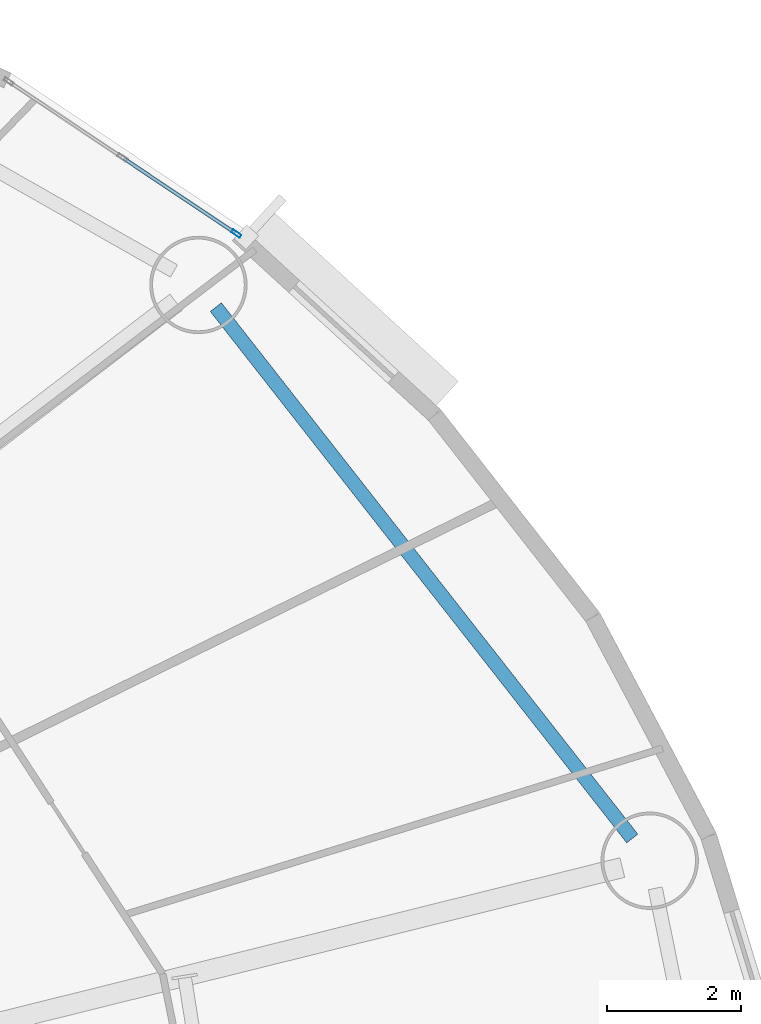
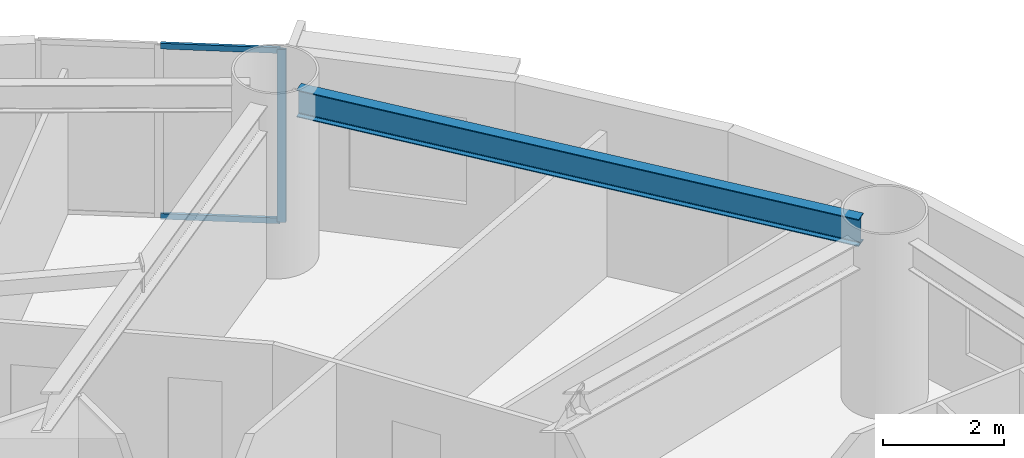
# One storey, part 7 of 21: 3 members, 1 beam, 1 element without a shape of its own.
"""IFC4 building model written with IfcOpenShell, lengths in metres."""

import ifcopenshell
import ifcopenshell.guid

model = None  # the IFC model being written
_history = None  # IfcOwnerHistory: only IFC2X3 demands one
_inside = {}  # id of a spatial element -> (the spatial element, [elements in it])
_under = {}  # id of a project, library or spatial element -> (it, [spatial elements below it])
_declared = {}  # id of a project -> (the project, [libraries it declares])
_typed = {}  # id of a type object -> (the type object, [elements of that type])
_made_of = {}  # id of a material, layer set ... -> (it, [elements and type objects made of it])


def new_model(schema):
    """Start an empty IFC model of exactly this schema.

    Asked for "IFC4X3", IfcOpenShell would pick the latest addendum, in which some entities
    have other attributes; the version numbers below select the first issue.
    IFC2X3 requires an IfcOwnerHistory on every rooted entity: one is made here for all.
    """
    global model, _history
    if schema == "IFC4X3":
        model = ifcopenshell.file(schema_version=(4, 3, 0, 0))
    else:
        model = ifcopenshell.file(schema=schema)
    _inside.clear()
    _under.clear()
    _declared.clear()
    _typed.clear()
    _made_of.clear()
    _history = None
    if model.schema == "IFC2X3":
        org = make("IfcOrganization", Name="unknown")
        user = make(
            "IfcPersonAndOrganization",
            ThePerson=make("IfcPerson", FamilyName="unknown"),
            TheOrganization=org,
        )
        app = make(
            "IfcApplication",
            ApplicationDeveloper=org,
            Version="unknown",
            ApplicationFullName="unknown",
            ApplicationIdentifier="unknown",
        )
        _history = make(
            "IfcOwnerHistory",
            OwningUser=user,
            OwningApplication=app,
            ChangeAction="ADDED",
            CreationDate=0,
        )
    return model


def make(cls, **values):
    """One entity of the class cls with the attributes given. An attribute that is None is left unset."""
    return model.create_entity(
        cls, **{name: value for name, value in values.items() if value is not None}
    )


def rooted(cls, **values):
    """An entity with a GlobalId (a new one), such as an element, a storey or a relation."""
    return make(cls, GlobalId=ifcopenshell.guid.new(), OwnerHistory=_history, **values)


def si_unit(unit_type, name, prefix=None):
    """IfcSIUnit, for example si_unit("LENGTHUNIT", "METRE", prefix="MILLI")."""
    return make("IfcSIUnit", UnitType=unit_type, Prefix=prefix, Name=name)


def assignment(units):
    """IfcUnitAssignment: the units of a project."""
    return None if units is None else make("IfcUnitAssignment", Units=units)


def point(xyz):
    """IfcCartesianPoint."""
    return None if xyz is None else make("IfcCartesianPoint", Coordinates=xyz)


def direction(xyz):
    """IfcDirection."""
    return None if xyz is None else make("IfcDirection", DirectionRatios=xyz)


def frame(location, z_axis=None, x_axis=None):
    """IfcAxis2Placement3D, a coordinate frame: its origin and axes. An axis left out is left unset."""
    return make(
        "IfcAxis2Placement3D",
        Location=point(location),
        Axis=direction(z_axis),
        RefDirection=direction(x_axis),
    )


def frame_2d(location, x_axis=None):
    """IfcAxis2Placement2D, a coordinate frame in the plane: its origin and x axis."""
    return make(
        "IfcAxis2Placement2D", Location=point(location), RefDirection=direction(x_axis)
    )


def origin():
    """The frame at (0, 0, 0) with its axes left unset."""
    return frame((0.0, 0.0, 0.0))


def origin_2d():
    """The frame at (0, 0) in the plane with its x axis left unset."""
    return frame_2d((0.0, 0.0))


def place(relative_to, where):
    """IfcLocalPlacement: puts the frame where relative to a parent placement (None: the world)."""
    return make(
        "IfcLocalPlacement", PlacementRelTo=relative_to, RelativePlacement=where
    )


def context(
    kind, dimensions, precision=None, world=None, true_north=None, identifier=None
):
    """IfcGeometricRepresentationContext, for example the 3D "Model" context."""
    return make(
        "IfcGeometricRepresentationContext",
        ContextIdentifier=identifier,
        ContextType=kind,
        CoordinateSpaceDimension=dimensions,
        Precision=precision,
        WorldCoordinateSystem=world,
        TrueNorth=true_north,
    )


def subcontext(parent, identifier, kind, view, scale=None):
    """IfcGeometricRepresentationSubContext, for example "Body" below "Model"."""
    return make(
        "IfcGeometricRepresentationSubContext",
        ContextIdentifier=identifier,
        ContextType=kind,
        ParentContext=parent,
        TargetScale=scale,
        TargetView=view,
    )


def project(units=None, contexts=None):
    """IfcProject with its units and contexts."""
    return rooted(
        "IfcProject",
        Name="project",
        RepresentationContexts=contexts,
        UnitsInContext=assignment(units),
    )


def spatial(cls, under=None, at=None, **own):
    """A site, building, storey or space (cls), placed at a placement, below another one or the project."""
    s = rooted(cls, ObjectPlacement=at, **own)
    if under is not None:
        _under.setdefault(under.id(), (under, []))[1].append(s)
    return s


def profile(cls, at=None, kind="AREA", **sizes):
    """A parametric profile (cls). Its sizes go by their IFC names, for example OverallWidth=200.0."""
    return make(cls, ProfileType=kind, Position=at, **sizes)


def hollow_rectangle(**sizes):
    """IfcRectangleHollowProfileDef."""
    return profile("IfcRectangleHollowProfileDef", **sizes)


def i_section(**sizes):
    """IfcIShapeProfileDef."""
    return profile("IfcIShapeProfileDef", **sizes)


def extrude(swept, where, along, depth):
    """IfcExtrudedAreaSolid: the profile swept, set in the frame where, extruded along a direction by depth."""
    return make(
        "IfcExtrudedAreaSolid",
        SweptArea=swept,
        Position=where,
        ExtrudedDirection=direction(along),
        Depth=depth,
    )


def shape(context_of_items, identifier, shape_type, items):
    """IfcShapeRepresentation: the items that make up one representation, for example the "Body"."""
    return make(
        "IfcShapeRepresentation",
        ContextOfItems=context_of_items,
        RepresentationIdentifier=identifier,
        RepresentationType=shape_type,
        Items=items,
    )


def source(mapping_origin, context_of_items, identifier, shape_type, items):
    """IfcRepresentationMap: a shape defined once, which mapped items show again and again."""
    return make(
        "IfcRepresentationMap",
        MappingOrigin=mapping_origin,
        MappedRepresentation=shape(context_of_items, identifier, shape_type, items),
    )


def transform(
    local_origin,
    x_axis=None,
    y_axis=None,
    z_axis=None,
    scale=None,
    scale2=None,
    scale3=None,
    uniform=True,
):
    """IfcCartesianTransformationOperator3D, or its non-uniform kind. x_axis, y_axis, z_axis: its Axis1, 2, 3."""
    if uniform:
        return make(
            "IfcCartesianTransformationOperator3D",
            Axis1=direction(x_axis),
            Axis2=direction(y_axis),
            LocalOrigin=point(local_origin),
            Scale=scale,
            Axis3=direction(z_axis),
        )
    return make(
        "IfcCartesianTransformationOperator3DnonUniform",
        Axis1=direction(x_axis),
        Axis2=direction(y_axis),
        LocalOrigin=point(local_origin),
        Scale=scale,
        Axis3=direction(z_axis),
        Scale2=scale2,
        Scale3=scale3,
    )


def mapped(mapping_source, mapping_target):
    """IfcMappedItem: shows the shape of a source again, moved by a transform."""
    return make(
        "IfcMappedItem", MappingSource=mapping_source, MappingTarget=mapping_target
    )


def material(Name=None, Category=None):
    """IfcMaterial."""
    return make("IfcMaterial", Name=Name, Category=Category)


def layer(
    of_material, thickness, ventilated=None, Name=None, Category=None, Priority=None
):
    """IfcMaterialLayer: one layer of a wall or slab, of a material (None: an air gap)."""
    return make(
        "IfcMaterialLayer",
        Material=of_material,
        LayerThickness=thickness,
        IsVentilated=ventilated,
        Name=Name,
        Category=Category,
        Priority=Priority,
    )


def layer_set(layers, Name=None):
    """IfcMaterialLayerSet."""
    return make("IfcMaterialLayerSet", MaterialLayers=layers, LayerSetName=Name)


def material_profile(
    of_material, cross_section, Name=None, Category=None, Priority=None
):
    """IfcMaterialProfile: a cross section and its material."""
    return make(
        "IfcMaterialProfile",
        Name=Name,
        Material=of_material,
        Profile=cross_section,
        Priority=Priority,
        Category=Category,
    )


def profile_set(profiles, Name=None, composite=None):
    """IfcMaterialProfileSet."""
    return make(
        "IfcMaterialProfileSet",
        Name=Name,
        MaterialProfiles=profiles,
        CompositeProfile=composite,
    )


def made_of(thing, what):
    """Note that an element or type object is made of a material, layer set ...; save() writes the relation."""
    if what is not None:
        _made_of.setdefault(what.id(), (what, []))[1].append(thing)
    return thing


def type_object(cls, material=None, **own):
    """A type object (cls), such as IfcWallType, which elements share."""
    return made_of(rooted(cls, **own), material)


def element(
    cls,
    number,
    at=None,
    inside=None,
    cuts=None,
    type_object=None,
    material=None,
    context=None,
    identifier="Body",
    shape_type=None,
    held_by="IfcProductDefinitionShape",
    body=None,
    shapes=None,
    **own,
):
    """One element of the class cls, such as IfcWall. Its Tag is "e" and its number.

    at: its placement. inside: the storey or other place that contains it. cuts: it is an
    opening in that element (IfcRelVoidsElement). A single representation is given by context,
    identifier, shape_type and body (its items); several are given by shapes. held_by: the class
    of the entity that holds the representations. save() writes the other relations.
    """
    e = rooted(cls, Tag="e%d" % number, ObjectPlacement=at, **own)
    if body is not None:
        shapes = [shape(context, identifier, shape_type, body)]
    if shapes is not None:
        e.Representation = make(held_by, Representations=shapes)
    if inside is not None:
        _inside.setdefault(inside.id(), (inside, []))[1].append(e)
    if cuts is not None:
        rooted(
            "IfcRelVoidsElement", RelatingBuildingElement=cuts, RelatedOpeningElement=e
        )
    if type_object is not None:
        _typed.setdefault(type_object.id(), (type_object, []))[1].append(e)
    return made_of(e, material)


def aggregate(whole, parts):
    """IfcRelAggregates: a whole, such as a stair, and the parts it consists of."""
    return rooted("IfcRelAggregates", RelatingObject=whole, RelatedObjects=parts)


def save(model, path):
    """Write the relations noted so far, then the file.

    IfcRelAggregates (storeys below a building ...), IfcRelContainedInSpatialStructure (elements
    in a storey), IfcRelDefinesByType, IfcRelAssociatesMaterial and IfcRelDeclares: one each for
    every whole, place, type object, material and project.
    """
    for whole, parts in _under.values():
        aggregate(whole, parts)
    for where, things in _inside.values():
        rooted(
            "IfcRelContainedInSpatialStructure",
            RelatedElements=things,
            RelatingStructure=where,
        )
    for kind, things in _typed.values():
        rooted("IfcRelDefinesByType", RelatedObjects=things, RelatingType=kind)
    for what, things in _made_of.values():
        rooted("IfcRelAssociatesMaterial", RelatedObjects=things, RelatingMaterial=what)
    for by, libraries in _declared.values():
        rooted("IfcRelDeclares", RelatingContext=by, RelatedDefinitions=libraries)
    model.write(path)


model = new_model("IFC4")

# Units and contexts
model_context = context("Model", 3, precision=1e-05, world=origin(), true_north=direction((0.0, 1.0)))
body_context = subcontext(model_context, "Body", "Model", "MODEL_VIEW")
ifc_project = project(units=[si_unit("LENGTHUNIT", "METRE"), si_unit("AREAUNIT", "SQUARE_METRE"), si_unit("VOLUMEUNIT", "CUBIC_METRE"), si_unit("PLANEANGLEUNIT", "RADIAN"), si_unit("MASSUNIT", "GRAM", prefix="KILO")], contexts=[model_context])

# Site, building, storey
site_placement = place(None, origin())
site = spatial("IfcSite", under=ifc_project, at=site_placement, CompositionType="ELEMENT")
building_placement = place(site_placement, origin())
building = spatial("IfcBuilding", under=site, at=building_placement, Name="Linh Dai School and Residence Tower", CompositionType="ELEMENT")
storey_placement = place(building_placement, frame((0.0, 0.0, 134.699951171875)))
storey = spatial("IfcBuildingStorey", under=building, at=storey_placement, Name="L32", CompositionType="ELEMENT", Elevation=134.699951171875)

# Beam
ifc_material_1 = material(Name="Structural Steel S355JR", Category="steel")
ifc_material_profile_1 = material_profile(ifc_material_1, i_section(OverallWidth=0.2099609375, OverallDepth=0.550048828125, WebThickness=0.010986328125, FlangeThickness=0.01708984375, FilletRadius=0.02392578125, at=origin_2d()), Name="IPE 550")
ifc_profile_set_1 = profile_set([ifc_material_profile_1], Name="Structural Steel S355JR")
beam_type = type_object("IfcBeamType", Name="BM-RB55", PredefinedType="BEAM", material=ifc_profile_set_1)
beam_placement = place(storey_placement, frame((62.233642578125, 33.91162109375, 3.22509765625), z_axis=(-0.616854830973, 0.787076945098, 0.0), x_axis=(-0.787076945098, -0.616854830973, 0.0)))
element("IfcBeam", 1, at=beam_placement, inside=storey, type_object=beam_type, Name="L32 Perimeter Elliptical Ring Beam 02", PredefinedType="BEAM", context=body_context, shape_type="SweptSolid", body=[
    extrude(i_section(OverallWidth=0.2099609375, OverallDepth=0.550048828125, WebThickness=0.010986328125, FlangeThickness=0.01708984375, FilletRadius=0.02392578125, at=origin_2d()), origin(), (0.0, 0.0, 1.0), 10.053955078125),
])

# Curtain wall, members
ifc_material_2 = material(Name="Aluminium Anodised Curtain Wall", Category="aluminium")
ifc_layer = layer(ifc_material_2, 0.14990234375)
ifc_layer_set = layer_set([ifc_layer], Name="Aluminium Anodised Curtain Wall")
curtain_wall_type = type_object("IfcCurtainWallType", Name="CW-SYS-4", PredefinedType="USERDEFINED", material=ifc_layer_set)
curtain_wall_placement = place(storey_placement, origin())
curtain_wall = element("IfcCurtainWall", 2, at=curtain_wall_placement, inside=storey, type_object=curtain_wall_type, Name="L32 CW4 Curtain Wall 06", ObjectType="RIBBON CURTAIN WALL", PredefinedType="USERDEFINED")
ifc_material_3 = material(Name="Aluminium Alloy 6063-T6", Category="aluminium")
ifc_material_profile_2 = material_profile(ifc_material_3, hollow_rectangle(XDim=0.052001953125, YDim=0.14990234375, WallThickness=0.00390625, at=origin_2d()), Name="RHS 150x52x4")
ifc_profile_set_2 = profile_set([ifc_material_profile_2], Name="Aluminium Alloy 6063-T6")
member_type_1 = type_object("IfcMemberType", Name="CW-SYS-4-MUL", PredefinedType="MULLION", material=ifc_profile_set_2)
shared_shape_1 = source(origin(), body_context, "Body", "SweptSolid", [
    extrude(hollow_rectangle(XDim=0.052001953125, YDim=0.14990234375, WallThickness=0.00390625, at=origin_2d()), origin(), (0.0, 0.0, 1.0), 3.5),
])
member_1_placement = place(storey_placement, frame((56.336669921875, 42.91796875, 0.0), z_axis=(0.0, 0.0, 1.0), x_axis=(0.555913198527, 0.831240347736, 0.0)))
member_1 = element("IfcMember", 3, at=member_1_placement, type_object=member_type_1, Name="CW4 mullion 3", PredefinedType="MULLION", context=body_context, shape_type="MappedRepresentation", body=[
    mapped(shared_shape_1, transform((0.0, 0.0, 0.0), x_axis=(1.0, 0.0, 0.0), y_axis=(0.0, 1.0, 0.0), z_axis=(0.0, 0.0, 1.0), scale=1.0)),
])
ifc_material_profile_3 = material_profile(ifc_material_3, hollow_rectangle(XDim=0.052001953125, YDim=0.114990234375, WallThickness=0.00390625, at=origin_2d()), Name="RHS 115x52x4")
ifc_profile_set_3 = profile_set([ifc_material_profile_3], Name="Aluminium Alloy 6063-T6")
member_type_2 = type_object("IfcMemberType", Name="CW-SYS-4-TRN", PredefinedType="USERDEFINED", material=ifc_profile_set_3)
shared_shape_2 = source(origin(), body_context, "Body", "SweptSolid", [
    extrude(hollow_rectangle(XDim=0.052001953125, YDim=0.114990234375, WallThickness=0.00390625, at=origin_2d()), origin(), (0.0, 0.0, 1.0), 1.987060546875),
])
member_2_placement = place(storey_placement, frame((54.663330078125, 44.036865234375, 0.026123046875), z_axis=(0.83129343924, -0.555833804186, 0.0), x_axis=(0.555833804186, 0.83129343924, 0.0)))
member_2 = element("IfcMember", 4, at=member_2_placement, type_object=member_type_2, Name="CW4 transom 2.1", ObjectType="TRANSOM", PredefinedType="USERDEFINED", context=body_context, shape_type="MappedRepresentation", body=[
    mapped(shared_shape_2, transform((0.0, 0.0, 0.0), x_axis=(1.0, 0.0, 0.0), y_axis=(0.0, 1.0, 0.0), z_axis=(0.0, 0.0, 1.0), scale=1.0)),
])
member_3_placement = place(storey_placement, frame((54.663330078125, 44.036865234375, 3.47412109375), z_axis=(0.83129343924, -0.555833804186, 0.0), x_axis=(0.555833804186, 0.83129343924, 0.0)))
member_3 = element("IfcMember", 5, at=member_3_placement, type_object=member_type_2, Name="CW4 transom 2.2", ObjectType="TRANSOM", PredefinedType="USERDEFINED", context=body_context, shape_type="MappedRepresentation", body=[
    mapped(shared_shape_2, transform((0.0, 0.0, 0.0), x_axis=(1.0, 0.0, 0.0), y_axis=(0.0, 1.0, 0.0), z_axis=(0.0, 0.0, 1.0), scale=1.0)),
])
aggregate(curtain_wall, [member_1, member_2, member_3])

save(model, "model.ifc")
